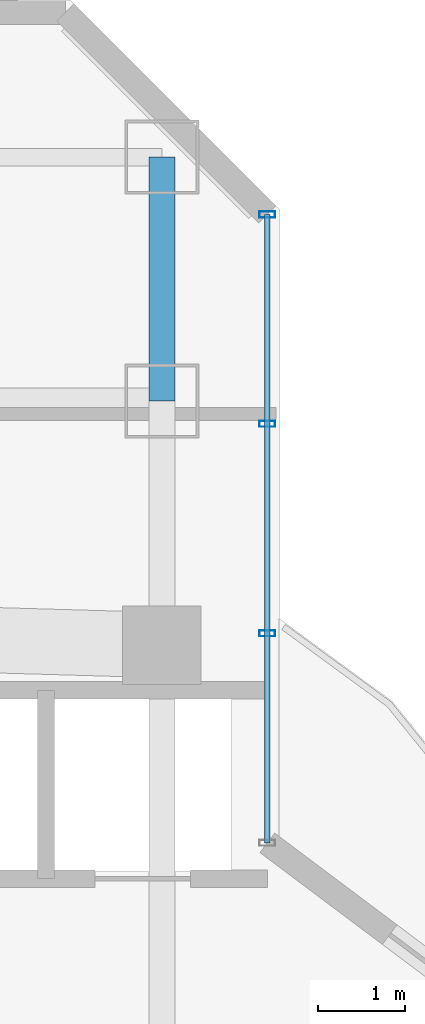
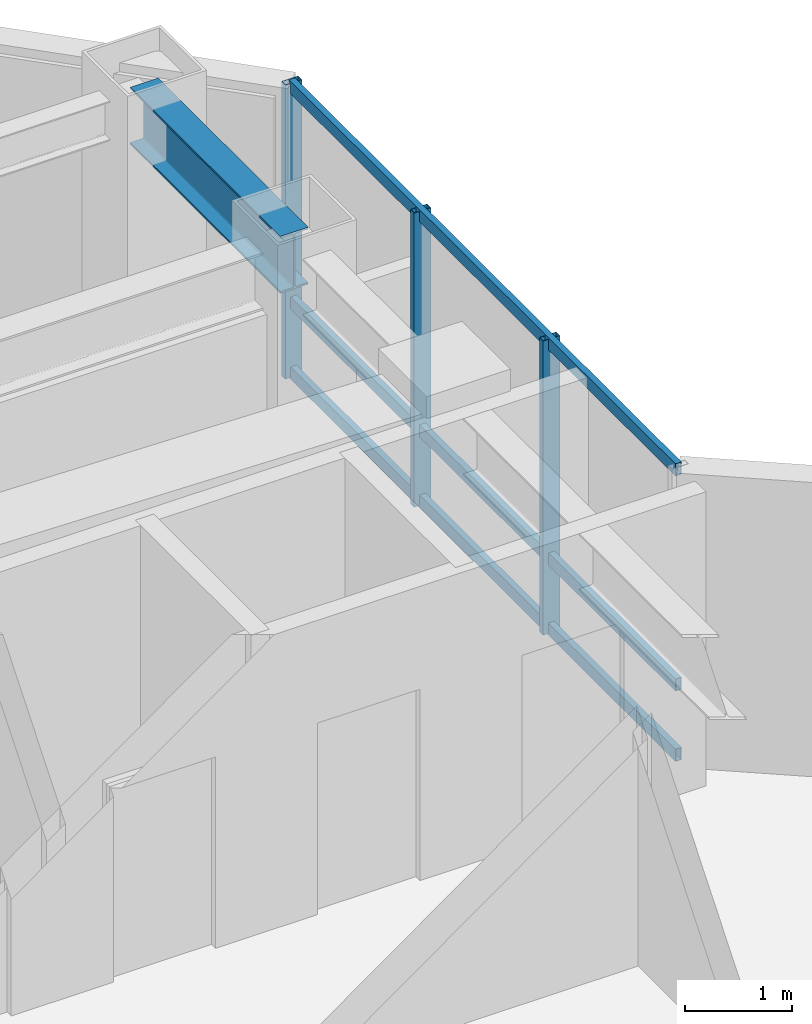
# One storey, part 19 of 28: 6 members, 1 beam, 1 element without a shape of its own.
"""IFC4 building model written with IfcOpenShell, lengths in metres."""

from ifc_helpers import new_model, si_unit, direction, frame, origin, origin_2d, place, context, subcontext, project, spatial, hollow_rectangle, i_section, extrude, material, layer, layer_set, material_profile, profile_set, type_object, element, aggregate, save


model = new_model("IFC4")

# Units and contexts
model_context = context("Model", 3, precision=1e-05, world=origin(), true_north=direction((0.0, 1.0)))
body_context = subcontext(model_context, "Body", "Model", "MODEL_VIEW")
ifc_project = project(units=[si_unit("LENGTHUNIT", "METRE"), si_unit("AREAUNIT", "SQUARE_METRE"), si_unit("VOLUMEUNIT", "CUBIC_METRE"), si_unit("PLANEANGLEUNIT", "RADIAN"), si_unit("MASSUNIT", "GRAM", prefix="KILO")], contexts=[model_context])

# Site, building, storey
site_placement = place(None, origin())
site = spatial("IfcSite", under=ifc_project, at=site_placement, CompositionType="ELEMENT")
building_placement = place(site_placement, origin())
building = spatial("IfcBuilding", under=site, at=building_placement, Name="Hatsunagi Terrace Concourse", CompositionType="ELEMENT")
storey_placement = place(building_placement, frame((0.0, 0.0, 138.449951171875)))
storey = spatial("IfcBuildingStorey", under=building, at=storey_placement, Name="L36", CompositionType="ELEMENT", Elevation=138.449951171875)

# Curtain wall, members
ifc_material_1 = material(Name="Anodised Aluminium Alloy 6063-T5", Category="aluminium")
ifc_layer = layer(ifc_material_1, 0.199951171875)
ifc_layer_set = layer_set([ifc_layer], Name="OfficeZone1_CW03")
curtain_wall_type = type_object("IfcCurtainWallType", Name="OfficeZone1_CW03", PredefinedType="NOTDEFINED", material=ifc_layer_set)
curtain_wall_placement = place(storey_placement, origin())
curtain_wall = element("IfcCurtainWall", 1, at=curtain_wall_placement, inside=storey, type_object=curtain_wall_type, Name="Unitised Curtain Wall CW-03 CW-L36-13", PredefinedType="NOTDEFINED")
ifc_material_2 = material(Name="Anodised Aluminium Alloy 6063-T5", Category="aluminium")
ifc_material_profile_1 = material_profile(ifc_material_2, hollow_rectangle(XDim=0.070068359375, YDim=0.179931640625, WallThickness=0.00390625, at=origin_2d()), Name="ALU-MUL-180x70x4")
ifc_profile_set_1 = profile_set([ifc_material_profile_1], Name="Anodised Aluminium Alloy 6063-T5")
member_type_1 = type_object("IfcMemberType", Name="CurtainWallMullion_180x70", PredefinedType="MULLION", material=ifc_profile_set_1)
member_1_placement = place(storey_placement, frame((44.860107421875, 47.94189453125, 0.0), z_axis=(0.0, 0.0, 1.0), x_axis=(0.0, -1.0, 0.0)))
member_1 = element("IfcMember", 2, at=member_1_placement, type_object=member_type_1, Name="Curtain Wall Mullion MUL-02", PredefinedType="MULLION", context=body_context, shape_type="SweptSolid", body=[
    extrude(hollow_rectangle(XDim=0.070068359375, YDim=0.179931640625, WallThickness=0.00390625, at=origin_2d()), origin(), (0.0, 0.0, 1.0), 3.35009765625),
])
member_2_placement = place(storey_placement, frame((44.860107421875, 45.5380859375, 0.0), z_axis=(0.0, 0.0, 1.0), x_axis=(0.0, -1.0, 0.0)))
member_2 = element("IfcMember", 3, at=member_2_placement, type_object=member_type_1, Name="Curtain Wall Mullion MUL-02", PredefinedType="MULLION", context=body_context, shape_type="SweptSolid", body=[
    extrude(hollow_rectangle(XDim=0.070068359375, YDim=0.179931640625, WallThickness=0.00390625, at=origin_2d()), origin(), (0.0, 0.0, 1.0), 3.35009765625),
])
member_3_placement = place(storey_placement, frame((44.860107421875, 43.134033203125, 0.0), z_axis=(0.0, 0.0, 1.0), x_axis=(0.0, -1.0, 0.0)))
member_3 = element("IfcMember", 4, at=member_3_placement, type_object=member_type_1, Name="Curtain Wall Mullion MUL-02", PredefinedType="MULLION", context=body_context, shape_type="SweptSolid", body=[
    extrude(hollow_rectangle(XDim=0.070068359375, YDim=0.179931640625, WallThickness=0.00390625, at=origin_2d()), origin(), (0.0, 0.0, 1.0), 3.35009765625),
])
ifc_material_3 = material(Name="Anodised Aluminium Alloy 6063-T5", Category="aluminium")
ifc_material_profile_2 = material_profile(ifc_material_3, hollow_rectangle(XDim=0.06494140625, YDim=0.139892578125, WallThickness=0.00390625, at=origin_2d()), Name="ALU-TRN-140x65x4")
ifc_profile_set_2 = profile_set([ifc_material_profile_2], Name="Anodised Aluminium Alloy 6063-T5")
member_type_2 = type_object("IfcMemberType", Name="CurtainWallTransom_140x65", PredefinedType="USERDEFINED", material=ifc_profile_set_2)
member_4_placement = place(storey_placement, frame((44.860107421875, 47.94189453125, 0.050048828125), z_axis=(0.0, -1.0, 0.0), x_axis=(1.0, 0.0, 0.0)))
member_4 = element("IfcMember", 5, at=member_4_placement, type_object=member_type_2, Name="Curtain Wall Transom TRN-02", ObjectType="TRANSOM", PredefinedType="USERDEFINED", context=body_context, shape_type="SweptSolid", body=[
    extrude(hollow_rectangle(XDim=0.06494140625, YDim=0.139892578125, WallThickness=0.00390625, at=origin_2d()), origin(), (0.0, 0.0, 1.0), 7.2119140625),
])
member_5_placement = place(storey_placement, frame((44.860107421875, 47.94189453125, 0.85009765625), z_axis=(0.0, -1.0, 0.0), x_axis=(1.0, 0.0, 0.0)))
member_5 = element("IfcMember", 6, at=member_5_placement, type_object=member_type_2, Name="Curtain Wall Transom TRN-02", ObjectType="TRANSOM", PredefinedType="USERDEFINED", context=body_context, shape_type="SweptSolid", body=[
    extrude(hollow_rectangle(XDim=0.06494140625, YDim=0.139892578125, WallThickness=0.00390625, at=origin_2d()), origin(), (0.0, 0.0, 1.0), 7.2119140625),
])
member_6_placement = place(storey_placement, frame((44.860107421875, 47.94189453125, 3.300048828125), z_axis=(0.0, -1.0, 0.0), x_axis=(1.0, 0.0, 0.0)))
member_6 = element("IfcMember", 7, at=member_6_placement, type_object=member_type_2, Name="Curtain Wall Transom TRN-02", ObjectType="TRANSOM", PredefinedType="USERDEFINED", context=body_context, shape_type="SweptSolid", body=[
    extrude(hollow_rectangle(XDim=0.06494140625, YDim=0.139892578125, WallThickness=0.00390625, at=origin_2d()), origin(), (0.0, 0.0, 1.0), 7.2119140625),
])
aggregate(curtain_wall, [member_1, member_2, member_3, member_4, member_5, member_6])

# Beam
ifc_material_4 = material(Name="Steel SN490B", Category="steel")
ifc_material_profile_3 = material_profile(ifc_material_4, i_section(OverallWidth=0.300048828125, OverallDepth=0.64990234375, WebThickness=0.012939453125, FlangeThickness=0.02197265625, FilletRadius=0.01806640625, at=origin_2d()), Name="H-650x300x13x22")
ifc_profile_set_3 = profile_set([ifc_material_profile_3], Name="Steel SN490B")
beam_type = type_object("IfcBeamType", Name="OfficeLowGirder_H_650x300", PredefinedType="BEAM", material=ifc_profile_set_3)
beam_placement = place(storey_placement, frame((43.64990234375, 45.800048828125, 3.025146484375), z_axis=(0.0, 1.0, 0.0), x_axis=(-1.0, 0.0, 0.0)))
element("IfcBeam", 8, at=beam_placement, inside=storey, type_object=beam_type, Name="Beam G-05 BM-L36-KN-WN6", PredefinedType="BEAM", context=body_context, shape_type="SweptSolid", body=[
    extrude(i_section(OverallWidth=0.300048828125, OverallDepth=0.64990234375, WebThickness=0.012939453125, FlangeThickness=0.02197265625, FilletRadius=0.01806640625, at=origin_2d()), origin(), (0.0, 0.0, 1.0), 2.800048828125),
])

save(model, "model.ifc")
